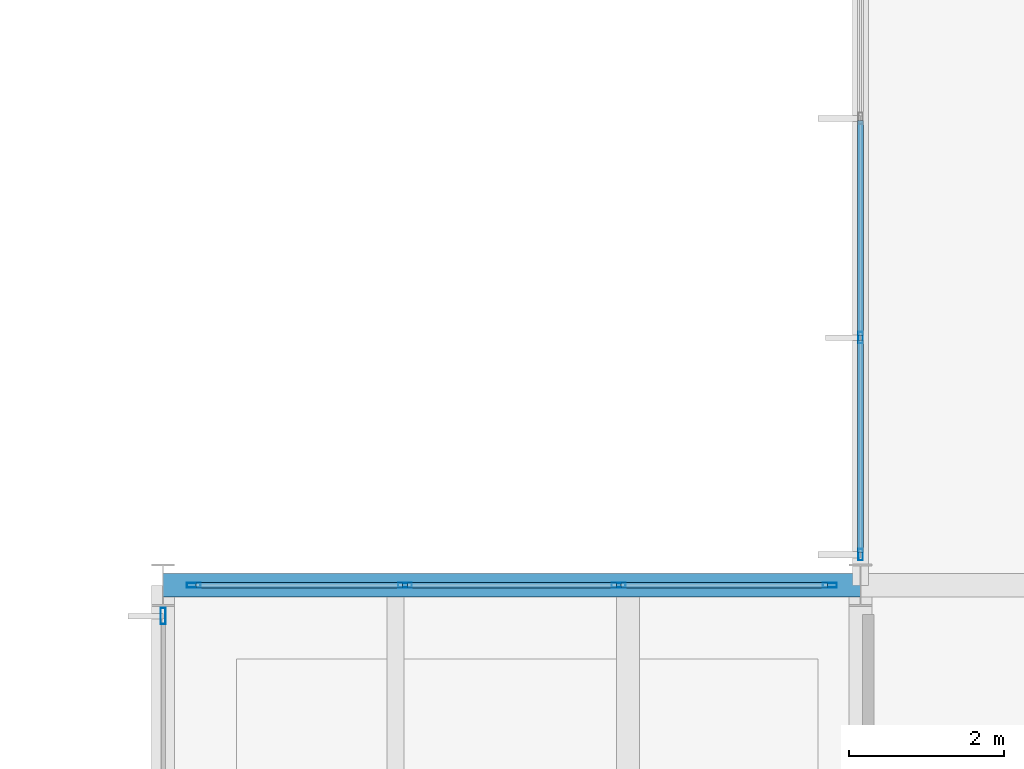
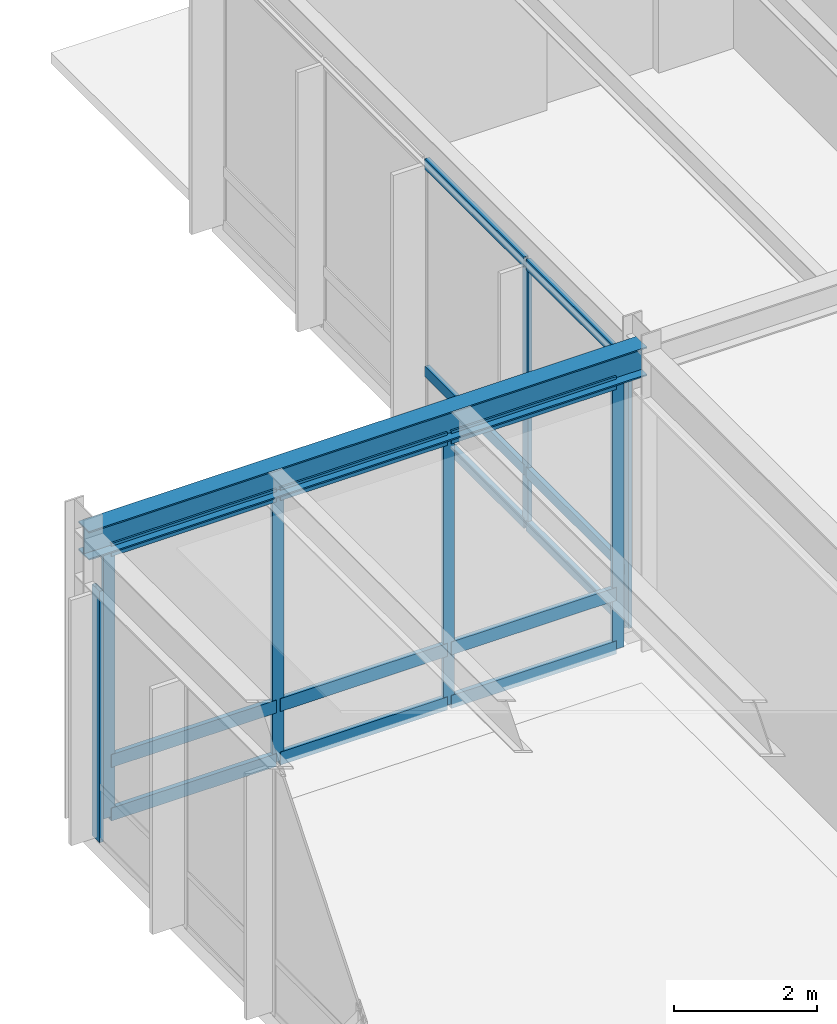
# One storey, part 62 of 143: 22 members, 1 beam, 3 elements without a shape of their own.
"""IFC4 building model written with IfcOpenShell, lengths in metres."""

from ifc_helpers import new_model, si_unit, direction, frame, origin, origin_2d, place, context, subcontext, project, spatial, hollow_rectangle, i_section, extrude, material, layer, layer_set, material_profile, profile_set, type_object, element, aggregate, save


model = new_model("IFC4")

# Units and contexts
model_context = context("Model", 3, precision=1e-05, world=origin(), true_north=direction((0.0, 1.0)))
body_context = subcontext(model_context, "Body", "Model", "MODEL_VIEW")
ifc_project = project(units=[si_unit("LENGTHUNIT", "METRE"), si_unit("AREAUNIT", "SQUARE_METRE"), si_unit("VOLUMEUNIT", "CUBIC_METRE"), si_unit("PLANEANGLEUNIT", "RADIAN"), si_unit("MASSUNIT", "GRAM", prefix="KILO")], contexts=[model_context])

# Site, building, storey
site_placement = place(None, origin())
site = spatial("IfcSite", under=ifc_project, at=site_placement, CompositionType="ELEMENT")
building_placement = place(site_placement, origin())
building = spatial("IfcBuilding", under=site, at=building_placement, Name="Montelvaro Courts of Justice", CompositionType="ELEMENT")
storey_placement = place(building_placement, origin())
storey = spatial("IfcBuildingStorey", under=building, at=storey_placement, Name="L00", CompositionType="ELEMENT", Elevation=0.0)

# Beam
ifc_material_1 = material(Name="Steel S355", Category="steel")
ifc_material_profile_1 = material_profile(ifc_material_1, i_section(OverallWidth=0.300048828125, OverallDepth=0.489990234375, WebThickness=0.011962890625, FlangeThickness=0.02294921875, at=origin_2d()), Name="HEA 500")
ifc_profile_set_1 = profile_set([ifc_material_profile_1], Name="Steel S355")
beam_type = type_object("IfcBeamType", Name="Beam_HEA500", PredefinedType="USERDEFINED", material=ifc_profile_set_1)
beam_placement = place(storey_placement, frame((18.0, 96.0, 4.8349609375), z_axis=(1.0, 0.0, 0.0), x_axis=(0.0, 1.0, 0.0)))
element("IfcBeam", 1, at=beam_placement, inside=storey, type_object=beam_type, Name="Beam B-19 L00", ObjectType="GIRDER", PredefinedType="USERDEFINED", context=body_context, shape_type="SweptSolid", body=[
    extrude(i_section(OverallWidth=0.300048828125, OverallDepth=0.489990234375, WebThickness=0.011962890625, FlangeThickness=0.02294921875, at=origin_2d()), origin(), (0.0, 0.0, 1.0), 9.0),
])

# Curtain wall, members
ifc_material_2 = material(Name="Anodised aluminium EN AW-6063", Category="aluminium")
ifc_layer_1 = layer(ifc_material_2, 0.159912109375)
ifc_layer_set_1 = layer_set([ifc_layer_1], Name="Anodised aluminium EN AW-6063")
curtain_wall_type_1 = type_object("IfcCurtainWallType", Name="CurtainWall_03_1132x508", PredefinedType="USERDEFINED", material=ifc_layer_set_1)
curtain_wall_1_placement = place(storey_placement, origin())
curtain_wall_1 = element("IfcCurtainWall", 2, at=curtain_wall_1_placement, inside=storey, type_object=curtain_wall_type_1, Name="Curtain Wall CW-03 (L00)", ObjectType="CURTAIN WALL", PredefinedType="USERDEFINED")
ifc_material_profile_2 = material_profile(ifc_material_2, hollow_rectangle(XDim=0.06005859375, YDim=0.14990234375, WallThickness=0.00390625, at=origin_2d()), Name="ALU-M 60x150")
ifc_profile_set_2 = profile_set([ifc_material_profile_2], Name="Anodised aluminium EN AW-6063")
member_type_1 = type_object("IfcMemberType", Name="CurtainWall_Mullion_60x150", PredefinedType="MULLION", material=ifc_profile_set_2)
member_1_placement = place(storey_placement, frame((27.0, 99.195068359375, 0.0), z_axis=(0.0, 0.0, 1.0), x_axis=(1.0, 0.0, 0.0)))
member_1 = element("IfcMember", 3, at=member_1_placement, type_object=member_type_1, Name="CW-03 mullion 4", PredefinedType="MULLION", context=body_context, shape_type="SweptSolid", body=[
    extrude(hollow_rectangle(XDim=0.06005859375, YDim=0.14990234375, WallThickness=0.00390625, at=origin_2d()), origin(), (0.0, 0.0, 1.0), 4.52490234375),
])
member_2_placement = place(storey_placement, frame((27.0, 96.39501953125, 0.0), z_axis=(0.0, 0.0, 1.0), x_axis=(1.0, 0.0, 0.0)))
member_2 = element("IfcMember", 4, at=member_2_placement, type_object=member_type_1, Name="CW-03 mullion 5", PredefinedType="MULLION", context=body_context, shape_type="SweptSolid", body=[
    extrude(hollow_rectangle(XDim=0.06005859375, YDim=0.14990234375, WallThickness=0.00390625, at=origin_2d()), origin(), (0.0, 0.0, 1.0), 4.52490234375),
])

ifc_layer_2 = layer(ifc_material_2, 0.159912109375)
ifc_layer_set_2 = layer_set([ifc_layer_2], Name="Anodised aluminium EN AW-6063")
curtain_wall_type_2 = type_object("IfcCurtainWallType", Name="CurtainWall_01_827x508", PredefinedType="USERDEFINED", material=ifc_layer_set_2)
curtain_wall_2_placement = place(storey_placement, origin())
curtain_wall_2 = element("IfcCurtainWall", 5, at=curtain_wall_2_placement, inside=storey, type_object=curtain_wall_type_2, Name="Curtain Wall CW-01 (L00)", ObjectType="CURTAIN WALL", PredefinedType="USERDEFINED")
ifc_material_profile_3 = material_profile(ifc_material_2, hollow_rectangle(XDim=0.06005859375, YDim=0.179931640625, WallThickness=0.00439453125, at=origin_2d()), Name="ALU-M 60x180")
ifc_profile_set_3 = profile_set([ifc_material_profile_3], Name="Anodised aluminium EN AW-6063")
member_type_2 = type_object("IfcMemberType", Name="CurtainWall_Mullion_60x180", PredefinedType="MULLION", material=ifc_profile_set_3)
member_3_placement = place(storey_placement, frame((26.60498046875, 96.0, 0.0), z_axis=(0.0, 0.0, 1.0), x_axis=(0.0, -1.0, 0.0)))
member_3 = element("IfcMember", 6, at=member_3_placement, type_object=member_type_2, Name="CW-01 mullion 1", PredefinedType="MULLION", context=body_context, shape_type="SweptSolid", body=[
    extrude(hollow_rectangle(XDim=0.06005859375, YDim=0.179931640625, WallThickness=0.00439453125, at=origin_2d()), origin(), (0.0, 0.0, 1.0), 4.5849609375),
])
member_4_placement = place(storey_placement, frame((23.87841796875, 96.0, 0.0), z_axis=(0.0, 0.0, 1.0), x_axis=(0.0, -1.0, 0.0)))
member_4 = element("IfcMember", 7, at=member_4_placement, type_object=member_type_2, Name="CW-01 mullion 2", PredefinedType="MULLION", context=body_context, shape_type="SweptSolid", body=[
    extrude(hollow_rectangle(XDim=0.06005859375, YDim=0.179931640625, WallThickness=0.00439453125, at=origin_2d()), origin(), (0.0, 0.0, 1.0), 4.5849609375),
])
member_5_placement = place(storey_placement, frame((21.12158203125, 96.0, 0.0), z_axis=(0.0, 0.0, 1.0), x_axis=(0.0, -1.0, 0.0)))
member_5 = element("IfcMember", 8, at=member_5_placement, type_object=member_type_2, Name="CW-01 mullion 3", PredefinedType="MULLION", context=body_context, shape_type="SweptSolid", body=[
    extrude(hollow_rectangle(XDim=0.06005859375, YDim=0.179931640625, WallThickness=0.00439453125, at=origin_2d()), origin(), (0.0, 0.0, 1.0), 4.5849609375),
])
member_6_placement = place(storey_placement, frame((18.39501953125, 96.0, 0.0), z_axis=(0.0, 0.0, 1.0), x_axis=(0.0, -1.0, 0.0)))
member_6 = element("IfcMember", 9, at=member_6_placement, type_object=member_type_2, Name="CW-01 mullion 4", PredefinedType="MULLION", context=body_context, shape_type="SweptSolid", body=[
    extrude(hollow_rectangle(XDim=0.06005859375, YDim=0.179931640625, WallThickness=0.00439453125, at=origin_2d()), origin(), (0.0, 0.0, 1.0), 4.5849609375),
])

# Curtain wall, member
ifc_layer_3 = layer(ifc_material_2, 0.159912109375)
ifc_layer_set_3 = layer_set([ifc_layer_3], Name="Anodised aluminium EN AW-6063")
curtain_wall_type_3 = type_object("IfcCurtainWallType", Name="CurtainWall_02_1727x508", PredefinedType="USERDEFINED", material=ifc_layer_set_3)
curtain_wall_3_placement = place(storey_placement, origin())
curtain_wall_3 = element("IfcCurtainWall", 10, at=curtain_wall_3_placement, inside=storey, type_object=curtain_wall_type_3, Name="Curtain Wall CW-02 (L00)", ObjectType="CURTAIN WALL", PredefinedType="USERDEFINED")
ifc_material_profile_4 = material_profile(ifc_material_2, hollow_rectangle(XDim=0.06494140625, YDim=0.2099609375, WallThickness=0.0048828125, at=origin_2d()), Name="ALU-M 65x210")
ifc_profile_set_4 = profile_set([ifc_material_profile_4], Name="Anodised aluminium EN AW-6063")
member_type_3 = type_object("IfcMemberType", Name="CurtainWall_Mullion_65x210", PredefinedType="MULLION", material=ifc_profile_set_4)
member_7_placement = place(storey_placement, frame((18.0, 95.6025390625, 0.0), z_axis=(0.0, 0.0, 1.0), x_axis=(1.0, 0.0, 0.0)))
member_7 = element("IfcMember", 11, at=member_7_placement, type_object=member_type_3, Name="CW-02 mullion 1", PredefinedType="MULLION", context=body_context, shape_type="SweptSolid", body=[
    extrude(hollow_rectangle(XDim=0.06494140625, YDim=0.2099609375, WallThickness=0.0048828125, at=origin_2d()), origin(), (0.0, 0.0, 1.0), 4.284912109375),
])
aggregate(curtain_wall_3, [member_7])

# Member
ifc_material_profile_5 = material_profile(ifc_material_2, hollow_rectangle(XDim=0.074951171875, YDim=0.179931640625, WallThickness=0.0048828125, at=origin_2d()), Name="ALU-T 75x180")
ifc_profile_set_5 = profile_set([ifc_material_profile_5], Name="Anodised aluminium EN AW-6063")
member_type_4 = type_object("IfcMemberType", Name="CurtainWall_Transom_75x180", PredefinedType="USERDEFINED", material=ifc_profile_set_5)
member_8_placement = place(storey_placement, frame((27.0, 101.9951171875, 0.03759765625), z_axis=(0.0, -1.0, 0.0), x_axis=(1.0, 0.0, 0.0)))
member_8 = element("IfcMember", 12, at=member_8_placement, type_object=member_type_4, Name="CW-03 transom 3.1", ObjectType="TRANSOM", PredefinedType="USERDEFINED", context=body_context, shape_type="SweptSolid", body=[
    extrude(hollow_rectangle(XDim=0.074951171875, YDim=0.179931640625, WallThickness=0.0048828125, at=origin_2d()), origin(), (0.0, 0.0, 1.0), 2.77001953125),
])

member_9_placement = place(storey_placement, frame((27.0, 101.9951171875, 0.949951171875), z_axis=(0.0, -1.0, 0.0), x_axis=(1.0, 0.0, 0.0)))
member_9 = element("IfcMember", 13, at=member_9_placement, type_object=member_type_4, Name="CW-03 transom 3.2", ObjectType="TRANSOM", PredefinedType="USERDEFINED", context=body_context, shape_type="SweptSolid", body=[
    extrude(hollow_rectangle(XDim=0.074951171875, YDim=0.179931640625, WallThickness=0.0048828125, at=origin_2d()), origin(), (0.0, 0.0, 1.0), 2.77001953125),
])

member_10_placement = place(storey_placement, frame((27.0, 101.9951171875, 4.487548828125), z_axis=(0.0, -1.0, 0.0), x_axis=(1.0, 0.0, 0.0)))
member_10 = element("IfcMember", 14, at=member_10_placement, type_object=member_type_4, Name="CW-03 transom 3.3", ObjectType="TRANSOM", PredefinedType="USERDEFINED", context=body_context, shape_type="SweptSolid", body=[
    extrude(hollow_rectangle(XDim=0.074951171875, YDim=0.179931640625, WallThickness=0.0048828125, at=origin_2d()), origin(), (0.0, 0.0, 1.0), 2.77001953125),
])

member_11_placement = place(storey_placement, frame((27.0, 99.1650390625, 0.03759765625), z_axis=(0.0, -1.0, 0.0), x_axis=(1.0, 0.0, 0.0)))
member_11 = element("IfcMember", 15, at=member_11_placement, type_object=member_type_4, Name="CW-03 transom 4.1", ObjectType="TRANSOM", PredefinedType="USERDEFINED", context=body_context, shape_type="SweptSolid", body=[
    extrude(hollow_rectangle(XDim=0.074951171875, YDim=0.179931640625, WallThickness=0.0048828125, at=origin_2d()), origin(), (0.0, 0.0, 1.0), 2.739990234375),
])

member_12_placement = place(storey_placement, frame((27.0, 99.1650390625, 0.949951171875), z_axis=(0.0, -1.0, 0.0), x_axis=(1.0, 0.0, 0.0)))
member_12 = element("IfcMember", 16, at=member_12_placement, type_object=member_type_4, Name="CW-03 transom 4.2", ObjectType="TRANSOM", PredefinedType="USERDEFINED", context=body_context, shape_type="SweptSolid", body=[
    extrude(hollow_rectangle(XDim=0.074951171875, YDim=0.179931640625, WallThickness=0.0048828125, at=origin_2d()), origin(), (0.0, 0.0, 1.0), 2.739990234375),
])

member_13_placement = place(storey_placement, frame((27.0, 99.1650390625, 4.487548828125), z_axis=(0.0, -1.0, 0.0), x_axis=(1.0, 0.0, 0.0)))
member_13 = element("IfcMember", 17, at=member_13_placement, type_object=member_type_4, Name="CW-03 transom 4.3", ObjectType="TRANSOM", PredefinedType="USERDEFINED", context=body_context, shape_type="SweptSolid", body=[
    extrude(hollow_rectangle(XDim=0.074951171875, YDim=0.179931640625, WallThickness=0.0048828125, at=origin_2d()), origin(), (0.0, 0.0, 1.0), 2.739990234375),
])

aggregate(curtain_wall_1, [member_1, member_2, member_8, member_9, member_10, member_11, member_12, member_13])

ifc_material_profile_6 = material_profile(ifc_material_2, hollow_rectangle(XDim=0.074951171875, YDim=0.219970703125, WallThickness=0.005615234375, at=origin_2d()), Name="ALU-T 75x220")
ifc_profile_set_6 = profile_set([ifc_material_profile_6], Name="Anodised aluminium EN AW-6063")
member_type_5 = type_object("IfcMemberType", Name="CurtainWall_Transom_75x220", PredefinedType="USERDEFINED", material=ifc_profile_set_6)
member_14_placement = place(storey_placement, frame((26.574951171875, 96.0, 0.03759765625), z_axis=(-1.0, 0.0, 0.0), x_axis=(0.0, -1.0, 0.0)))
member_14 = element("IfcMember", 18, at=member_14_placement, type_object=member_type_5, Name="CW-01 transom 1.1", ObjectType="TRANSOM", PredefinedType="USERDEFINED", context=body_context, shape_type="SweptSolid", body=[
    extrude(hollow_rectangle(XDim=0.074951171875, YDim=0.219970703125, WallThickness=0.005615234375, at=origin_2d()), origin(), (0.0, 0.0, 1.0), 2.66650390625),
])

member_15_placement = place(storey_placement, frame((26.574951171875, 96.0, 0.949951171875), z_axis=(-1.0, 0.0, 0.0), x_axis=(0.0, -1.0, 0.0)))
member_15 = element("IfcMember", 19, at=member_15_placement, type_object=member_type_5, Name="CW-01 transom 1.2", ObjectType="TRANSOM", PredefinedType="USERDEFINED", context=body_context, shape_type="SweptSolid", body=[
    extrude(hollow_rectangle(XDim=0.074951171875, YDim=0.219970703125, WallThickness=0.005615234375, at=origin_2d()), origin(), (0.0, 0.0, 1.0), 2.66650390625),
])

member_16_placement = place(storey_placement, frame((26.574951171875, 96.0, 4.547607421875), z_axis=(-1.0, 0.0, 0.0), x_axis=(0.0, -1.0, 0.0)))
member_16 = element("IfcMember", 20, at=member_16_placement, type_object=member_type_5, Name="CW-01 transom 1.3", ObjectType="TRANSOM", PredefinedType="USERDEFINED", context=body_context, shape_type="SweptSolid", body=[
    extrude(hollow_rectangle(XDim=0.074951171875, YDim=0.219970703125, WallThickness=0.005615234375, at=origin_2d()), origin(), (0.0, 0.0, 1.0), 2.66650390625),
])

member_17_placement = place(storey_placement, frame((23.848388671875, 96.0, 0.03759765625), z_axis=(-1.0, 0.0, 0.0), x_axis=(0.0, -1.0, 0.0)))
member_17 = element("IfcMember", 21, at=member_17_placement, type_object=member_type_5, Name="CW-01 transom 2.1", ObjectType="TRANSOM", PredefinedType="USERDEFINED", context=body_context, shape_type="SweptSolid", body=[
    extrude(hollow_rectangle(XDim=0.074951171875, YDim=0.219970703125, WallThickness=0.005615234375, at=origin_2d()), origin(), (0.0, 0.0, 1.0), 2.69677734375),
])

member_18_placement = place(storey_placement, frame((23.848388671875, 96.0, 0.949951171875), z_axis=(-1.0, 0.0, 0.0), x_axis=(0.0, -1.0, 0.0)))
member_18 = element("IfcMember", 22, at=member_18_placement, type_object=member_type_5, Name="CW-01 transom 2.2", ObjectType="TRANSOM", PredefinedType="USERDEFINED", context=body_context, shape_type="SweptSolid", body=[
    extrude(hollow_rectangle(XDim=0.074951171875, YDim=0.219970703125, WallThickness=0.005615234375, at=origin_2d()), origin(), (0.0, 0.0, 1.0), 2.69677734375),
])

member_19_placement = place(storey_placement, frame((23.848388671875, 96.0, 4.547607421875), z_axis=(-1.0, 0.0, 0.0), x_axis=(0.0, -1.0, 0.0)))
member_19 = element("IfcMember", 23, at=member_19_placement, type_object=member_type_5, Name="CW-01 transom 2.3", ObjectType="TRANSOM", PredefinedType="USERDEFINED", context=body_context, shape_type="SweptSolid", body=[
    extrude(hollow_rectangle(XDim=0.074951171875, YDim=0.219970703125, WallThickness=0.005615234375, at=origin_2d()), origin(), (0.0, 0.0, 1.0), 2.69677734375),
])

member_20_placement = place(storey_placement, frame((21.091552734375, 96.0, 0.03759765625), z_axis=(-1.0, 0.0, 0.0), x_axis=(0.0, -1.0, 0.0)))
member_20 = element("IfcMember", 24, at=member_20_placement, type_object=member_type_5, Name="CW-01 transom 3.1", ObjectType="TRANSOM", PredefinedType="USERDEFINED", context=body_context, shape_type="SweptSolid", body=[
    extrude(hollow_rectangle(XDim=0.074951171875, YDim=0.219970703125, WallThickness=0.005615234375, at=origin_2d()), origin(), (0.0, 0.0, 1.0), 2.66650390625),
])

member_21_placement = place(storey_placement, frame((21.091552734375, 96.0, 0.949951171875), z_axis=(-1.0, 0.0, 0.0), x_axis=(0.0, -1.0, 0.0)))
member_21 = element("IfcMember", 25, at=member_21_placement, type_object=member_type_5, Name="CW-01 transom 3.2", ObjectType="TRANSOM", PredefinedType="USERDEFINED", context=body_context, shape_type="SweptSolid", body=[
    extrude(hollow_rectangle(XDim=0.074951171875, YDim=0.219970703125, WallThickness=0.005615234375, at=origin_2d()), origin(), (0.0, 0.0, 1.0), 2.66650390625),
])

member_22_placement = place(storey_placement, frame((21.091552734375, 96.0, 4.547607421875), z_axis=(-1.0, 0.0, 0.0), x_axis=(0.0, -1.0, 0.0)))
member_22 = element("IfcMember", 26, at=member_22_placement, type_object=member_type_5, Name="CW-01 transom 3.3", ObjectType="TRANSOM", PredefinedType="USERDEFINED", context=body_context, shape_type="SweptSolid", body=[
    extrude(hollow_rectangle(XDim=0.074951171875, YDim=0.219970703125, WallThickness=0.005615234375, at=origin_2d()), origin(), (0.0, 0.0, 1.0), 2.66650390625),
])

aggregate(curtain_wall_2, [member_3, member_4, member_5, member_6, member_14, member_15, member_16, member_17, member_18, member_19, member_20, member_21, member_22])

save(model, "model.ifc")
